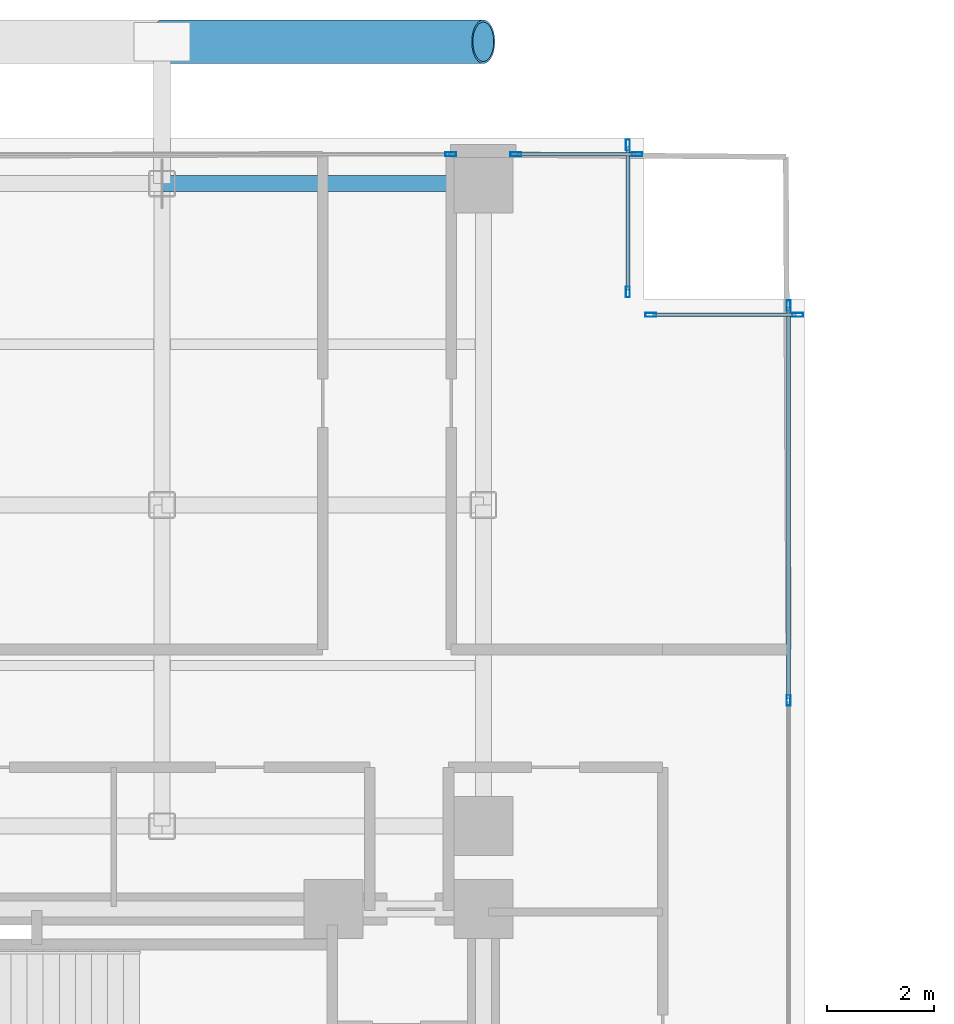
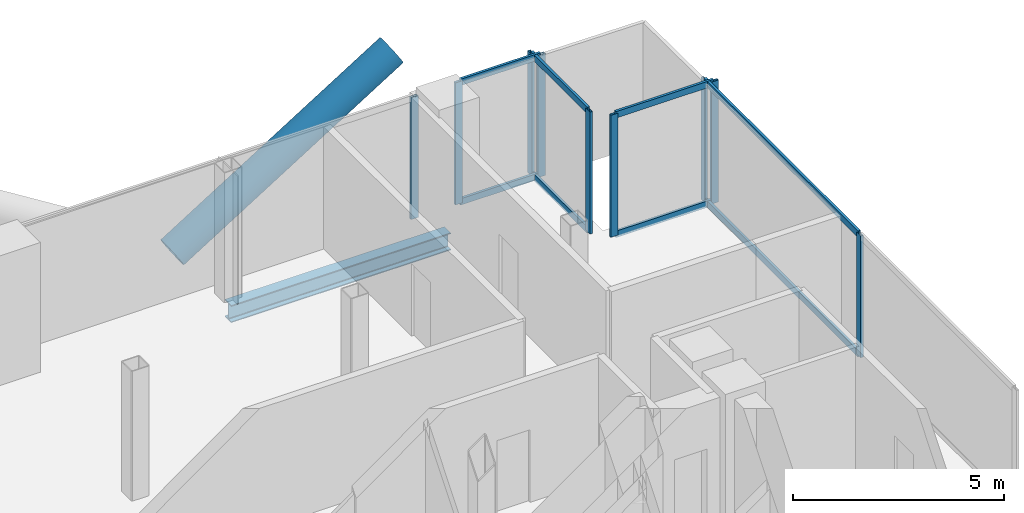
# One storey, part 16 of 24: 18 members, 1 beam, 5 elements without a shape of their own.
"""IFC4 building model written with IfcOpenShell, lengths in metres."""

from ifc_helpers import new_model, si_unit, direction, frame, origin, origin_2d, place, context, subcontext, project, spatial, hollow_rectangle, hollow_circle, i_section, extrude, material, layer, layer_set, material_profile, profile_set, type_object, element, aggregate, save


model = new_model("IFC4")

# Units and contexts
model_context = context("Model", 3, precision=1e-05, world=origin(), true_north=direction((0.0, 1.0)))
body_context = subcontext(model_context, "Body", "Model", "MODEL_VIEW")
ifc_project = project(units=[si_unit("LENGTHUNIT", "METRE"), si_unit("AREAUNIT", "SQUARE_METRE"), si_unit("VOLUMEUNIT", "CUBIC_METRE"), si_unit("PLANEANGLEUNIT", "RADIAN"), si_unit("MASSUNIT", "GRAM", prefix="KILO"), si_unit("THERMODYNAMICTEMPERATUREUNIT", "KELVIN"), si_unit("POWERUNIT", "WATT")], contexts=[model_context])

# Site, building, storey
site_placement = place(None, origin())
site = spatial("IfcSite", under=ifc_project, at=site_placement, CompositionType="ELEMENT")
building_placement = place(site_placement, origin())
building = spatial("IfcBuilding", under=site, at=building_placement, Name="Svarakhadi Broadcast Tower", CompositionType="ELEMENT")
storey_placement = place(building_placement, frame((0.0, 0.0, 145.64990234375)))
storey = spatial("IfcBuildingStorey", under=building, at=storey_placement, Name="L35", CompositionType="ELEMENT", Elevation=145.64990234375)

# Curtain wall, member
ifc_material_1 = material(Name="Anodised Bronze Aluminium AA 6063-T6", Category="aluminium")
ifc_layer = layer(ifc_material_1, 0.199951171875)
ifc_layer_set = layer_set([ifc_layer], Name="Anodised Bronze Aluminium AA 6063-T6")
curtain_wall_type = type_object("IfcCurtainWallType", Name="CW_Sys_03", PredefinedType="NOTDEFINED", material=ifc_layer_set)
curtain_wall_1_placement = place(storey_placement, origin())
curtain_wall_1 = element("IfcCurtainWall", 1, at=curtain_wall_1_placement, inside=storey, type_object=curtain_wall_type, Name="L35 Unitised Facade Curtain Wall 06 Bay 2", PredefinedType="NOTDEFINED")
ifc_material_profile_1 = material_profile(ifc_material_1, hollow_rectangle(XDim=0.074951171875, YDim=0.199951171875, WallThickness=0.005615234375, at=origin_2d()), Name="ALU MULLION 200x75x6")
ifc_profile_set_1 = profile_set([ifc_material_profile_1], Name="Anodised Bronze Aluminium AA 6063-T6")
member_type_1 = type_object("IfcMemberType", Name="CW_Sys_03_Mul", PredefinedType="MULLION", material=ifc_profile_set_1)
member_1_placement = place(storey_placement, frame((17.392578125, 41.699951171875, 0.0), z_axis=(0.0, 0.0, 1.0), x_axis=(0.0, 1.0, 0.0)))
member_1 = element("IfcMember", 2, at=member_1_placement, type_object=member_type_1, Name="CW-03 mullion 2", PredefinedType="MULLION", context=body_context, shape_type="SweptSolid", body=[
    extrude(hollow_rectangle(XDim=0.074951171875, YDim=0.199951171875, WallThickness=0.005615234375, at=origin_2d()), origin(), (0.0, 0.0, 1.0), 3.525146484375),
])
aggregate(curtain_wall_1, [member_1])

# Curtain wall, members
curtain_wall_2_placement = place(storey_placement, origin())
curtain_wall_2 = element("IfcCurtainWall", 3, at=curtain_wall_2_placement, inside=storey, type_object=curtain_wall_type, Name="L35 Unitised Facade Curtain Wall 06 Bay 3", PredefinedType="NOTDEFINED")
member_2_placement = place(storey_placement, frame((18.607421875, 41.699951171875, 0.0), z_axis=(0.0, 0.0, 1.0), x_axis=(0.0, 1.0, 0.0)))
member_2 = element("IfcMember", 4, at=member_2_placement, type_object=member_type_1, Name="CW-03 mullion 1", PredefinedType="MULLION", context=body_context, shape_type="SweptSolid", body=[
    extrude(hollow_rectangle(XDim=0.074951171875, YDim=0.199951171875, WallThickness=0.005615234375, at=origin_2d()), origin(), (0.0, 0.0, 1.0), 3.525146484375),
])
member_3_placement = place(storey_placement, frame((20.87255859375, 41.699951171875, 0.0), z_axis=(0.0, 0.0, 1.0), x_axis=(0.0, 1.0, 0.0)))
member_3 = element("IfcMember", 5, at=member_3_placement, type_object=member_type_1, Name="CW-03 mullion 2", PredefinedType="MULLION", context=body_context, shape_type="SweptSolid", body=[
    extrude(hollow_rectangle(XDim=0.074951171875, YDim=0.199951171875, WallThickness=0.005615234375, at=origin_2d()), origin(), (0.0, 0.0, 1.0), 3.525146484375),
])

curtain_wall_3_placement = place(storey_placement, origin())
curtain_wall_3 = element("IfcCurtainWall", 6, at=curtain_wall_3_placement, inside=storey, type_object=curtain_wall_type, Name="L35 Unitised Facade Curtain Wall 07", PredefinedType="NOTDEFINED")
member_4_placement = place(storey_placement, frame((20.699951171875, 41.87255859375, 0.0), z_axis=(0.0, 0.0, 1.0), x_axis=(1.0, 0.0, 0.0)))
member_4 = element("IfcMember", 7, at=member_4_placement, type_object=member_type_1, Name="CW-03 mullion 1", PredefinedType="MULLION", context=body_context, shape_type="SweptSolid", body=[
    extrude(hollow_rectangle(XDim=0.074951171875, YDim=0.199951171875, WallThickness=0.005615234375, at=origin_2d()), origin(), (0.0, 0.0, 1.0), 3.525146484375),
])
member_5_placement = place(storey_placement, frame((20.699951171875, 39.12744140625, 0.0), z_axis=(0.0, 0.0, 1.0), x_axis=(1.0, 0.0, 0.0)))
member_5 = element("IfcMember", 8, at=member_5_placement, type_object=member_type_1, Name="CW-03 mullion 2", PredefinedType="MULLION", context=body_context, shape_type="SweptSolid", body=[
    extrude(hollow_rectangle(XDim=0.074951171875, YDim=0.199951171875, WallThickness=0.005615234375, at=origin_2d()), origin(), (0.0, 0.0, 1.0), 3.525146484375),
])

curtain_wall_4_placement = place(storey_placement, origin())
curtain_wall_4 = element("IfcCurtainWall", 9, at=curtain_wall_4_placement, inside=storey, type_object=curtain_wall_type, Name="L35 Unitised Facade Curtain Wall 08", PredefinedType="NOTDEFINED")
member_6_placement = place(storey_placement, frame((21.12744140625, 38.699951171875, 0.0), z_axis=(0.0, 0.0, 1.0), x_axis=(0.0, 1.0, 0.0)))
member_6 = element("IfcMember", 10, at=member_6_placement, type_object=member_type_1, Name="CW-03 mullion 1", PredefinedType="MULLION", context=body_context, shape_type="SweptSolid", body=[
    extrude(hollow_rectangle(XDim=0.074951171875, YDim=0.199951171875, WallThickness=0.005615234375, at=origin_2d()), origin(), (0.0, 0.0, 1.0), 3.525146484375),
])
member_7_placement = place(storey_placement, frame((23.87255859375, 38.699951171875, 0.0), z_axis=(0.0, 0.0, 1.0), x_axis=(0.0, 1.0, 0.0)))
member_7 = element("IfcMember", 11, at=member_7_placement, type_object=member_type_1, Name="CW-03 mullion 2", PredefinedType="MULLION", context=body_context, shape_type="SweptSolid", body=[
    extrude(hollow_rectangle(XDim=0.074951171875, YDim=0.199951171875, WallThickness=0.005615234375, at=origin_2d()), origin(), (0.0, 0.0, 1.0), 3.525146484375),
])

curtain_wall_5_placement = place(storey_placement, origin())
curtain_wall_5 = element("IfcCurtainWall", 12, at=curtain_wall_5_placement, inside=storey, type_object=curtain_wall_type, Name="L35 Unitised Facade Curtain Wall 09", PredefinedType="NOTDEFINED")
member_8_placement = place(storey_placement, frame((23.699951171875, 38.87255859375, 0.0), z_axis=(0.0, 0.0, 1.0), x_axis=(1.0, 0.0, 0.0)))
member_8 = element("IfcMember", 13, at=member_8_placement, type_object=member_type_1, Name="CW-03 mullion 1", PredefinedType="MULLION", context=body_context, shape_type="SweptSolid", body=[
    extrude(hollow_rectangle(XDim=0.074951171875, YDim=0.199951171875, WallThickness=0.005615234375, at=origin_2d()), origin(), (0.0, 0.0, 1.0), 3.525146484375),
])
member_9_placement = place(storey_placement, frame((23.699951171875, 31.5, 0.0), z_axis=(0.0, 0.0, 1.0), x_axis=(1.0, 0.0, 0.0)))
member_9 = element("IfcMember", 14, at=member_9_placement, type_object=member_type_1, Name="CW-03 mullion 2", PredefinedType="MULLION", context=body_context, shape_type="SweptSolid", body=[
    extrude(hollow_rectangle(XDim=0.074951171875, YDim=0.199951171875, WallThickness=0.005615234375, at=origin_2d()), origin(), (0.0, 0.0, 1.0), 3.525146484375),
])

# Member
ifc_material_profile_2 = material_profile(ifc_material_1, hollow_rectangle(XDim=0.070068359375, YDim=0.18505859375, WallThickness=0.0048828125, at=origin_2d()), Name="ALU TRANSOM 185x70x5")
ifc_profile_set_2 = profile_set([ifc_material_profile_2], Name="Anodised Bronze Aluminium AA 6063-T6")
member_type_2 = type_object("IfcMemberType", Name="CW_Sys_03_Trn", PredefinedType="USERDEFINED", material=ifc_profile_set_2)
member_10_placement = place(storey_placement, frame((18.64501953125, 41.699951171875, 0.03515625), z_axis=(1.0, 0.0, 0.0), x_axis=(0.0, 1.0, 0.0)))
member_10 = element("IfcMember", 15, at=member_10_placement, type_object=member_type_2, Name="CW-03 transom 1.1", ObjectType="TRANSOM", PredefinedType="USERDEFINED", context=body_context, shape_type="SweptSolid", body=[
    extrude(hollow_rectangle(XDim=0.070068359375, YDim=0.18505859375, WallThickness=0.0048828125, at=origin_2d()), origin(), (0.0, 0.0, 1.0), 2.18994140625),
])

member_11_placement = place(storey_placement, frame((18.64501953125, 41.699951171875, 3.489990234375), z_axis=(1.0, 0.0, 0.0), x_axis=(0.0, 1.0, 0.0)))
member_11 = element("IfcMember", 16, at=member_11_placement, type_object=member_type_2, Name="CW-03 transom 1.2", ObjectType="TRANSOM", PredefinedType="USERDEFINED", context=body_context, shape_type="SweptSolid", body=[
    extrude(hollow_rectangle(XDim=0.070068359375, YDim=0.18505859375, WallThickness=0.0048828125, at=origin_2d()), origin(), (0.0, 0.0, 1.0), 2.18994140625),
])

aggregate(curtain_wall_2, [member_2, member_3, member_10, member_11])

member_12_placement = place(storey_placement, frame((20.699951171875, 41.8349609375, 0.03515625), z_axis=(0.0, -1.0, 0.0), x_axis=(1.0, 0.0, 0.0)))
member_12 = element("IfcMember", 17, at=member_12_placement, type_object=member_type_2, Name="CW-03 transom 1.1", ObjectType="TRANSOM", PredefinedType="USERDEFINED", context=body_context, shape_type="SweptSolid", body=[
    extrude(hollow_rectangle(XDim=0.070068359375, YDim=0.18505859375, WallThickness=0.0048828125, at=origin_2d()), origin(), (0.0, 0.0, 1.0), 2.669921875),
])

member_13_placement = place(storey_placement, frame((20.699951171875, 41.8349609375, 3.489990234375), z_axis=(0.0, -1.0, 0.0), x_axis=(1.0, 0.0, 0.0)))
member_13 = element("IfcMember", 18, at=member_13_placement, type_object=member_type_2, Name="CW-03 transom 1.2", ObjectType="TRANSOM", PredefinedType="USERDEFINED", context=body_context, shape_type="SweptSolid", body=[
    extrude(hollow_rectangle(XDim=0.070068359375, YDim=0.18505859375, WallThickness=0.0048828125, at=origin_2d()), origin(), (0.0, 0.0, 1.0), 2.669921875),
])

aggregate(curtain_wall_3, [member_4, member_5, member_12, member_13])

member_14_placement = place(storey_placement, frame((21.1650390625, 38.699951171875, 0.03515625), z_axis=(1.0, 0.0, 0.0), x_axis=(0.0, 1.0, 0.0)))
member_14 = element("IfcMember", 19, at=member_14_placement, type_object=member_type_2, Name="CW-03 transom 1.1", ObjectType="TRANSOM", PredefinedType="USERDEFINED", context=body_context, shape_type="SweptSolid", body=[
    extrude(hollow_rectangle(XDim=0.070068359375, YDim=0.18505859375, WallThickness=0.0048828125, at=origin_2d()), origin(), (0.0, 0.0, 1.0), 2.669921875),
])

member_15_placement = place(storey_placement, frame((21.1650390625, 38.699951171875, 3.489990234375), z_axis=(1.0, 0.0, 0.0), x_axis=(0.0, 1.0, 0.0)))
member_15 = element("IfcMember", 20, at=member_15_placement, type_object=member_type_2, Name="CW-03 transom 1.2", ObjectType="TRANSOM", PredefinedType="USERDEFINED", context=body_context, shape_type="SweptSolid", body=[
    extrude(hollow_rectangle(XDim=0.070068359375, YDim=0.18505859375, WallThickness=0.0048828125, at=origin_2d()), origin(), (0.0, 0.0, 1.0), 2.669921875),
])

aggregate(curtain_wall_4, [member_6, member_7, member_14, member_15])

member_16_placement = place(storey_placement, frame((23.699951171875, 38.8349609375, 0.03515625), z_axis=(0.0, -1.0, 0.0), x_axis=(1.0, 0.0, 0.0)))
member_16 = element("IfcMember", 21, at=member_16_placement, type_object=member_type_2, Name="CW-03 transom 1.1", ObjectType="TRANSOM", PredefinedType="USERDEFINED", context=body_context, shape_type="SweptSolid", body=[
    extrude(hollow_rectangle(XDim=0.070068359375, YDim=0.18505859375, WallThickness=0.0048828125, at=origin_2d()), origin(), (0.0, 0.0, 1.0), 7.29736328125),
])

member_17_placement = place(storey_placement, frame((23.699951171875, 38.8349609375, 3.489990234375), z_axis=(0.0, -1.0, 0.0), x_axis=(1.0, 0.0, 0.0)))
member_17 = element("IfcMember", 22, at=member_17_placement, type_object=member_type_2, Name="CW-03 transom 1.2", ObjectType="TRANSOM", PredefinedType="USERDEFINED", context=body_context, shape_type="SweptSolid", body=[
    extrude(hollow_rectangle(XDim=0.070068359375, YDim=0.18505859375, WallThickness=0.0048828125, at=origin_2d()), origin(), (0.0, 0.0, 1.0), 7.29736328125),
])

aggregate(curtain_wall_5, [member_8, member_9, member_16, member_17])

ifc_material_2 = material(Name="Steel S460ML (IS 2062 E450BR)", Category="steel")
ifc_material_profile_3 = material_profile(ifc_material_2, hollow_circle(Radius=0.406494140625, WallThickness=0.0400390625, at=origin_2d()), Name="CHS 813x40")
ifc_profile_set_3 = profile_set([ifc_material_profile_3], Name="Steel S460ML (IS 2062 E450BR)")
member_type_3 = type_object("IfcMemberType", Name="Exo_Brace_CHS813", PredefinedType="BRACE", material=ifc_profile_set_3)
member_18_placement = place(storey_placement, frame((12.0, 43.800048828125, -0.386962890625), z_axis=(0.847998304005, 0.0, 0.529998940003), x_axis=(0.0, 1.0, 0.0)))
element("IfcMember", 23, at=member_18_placement, inside=storey, type_object=member_type_3, Name="L35 Exposed Bronze Exoskeleton Diagonal N09", PredefinedType="BRACE", context=body_context, shape_type="SweptSolid", body=[
    extrude(hollow_circle(Radius=0.406494140625, WallThickness=0.0400390625, at=origin_2d()), origin(), (0.0, 0.0, 1.0), 7.075439453125),
])

# Beam
ifc_material_3 = material(Name="Steel S355J2 (IS 2062 E350C)", Category="steel")
ifc_material_profile_4 = material_profile(ifc_material_3, i_section(OverallWidth=0.300048828125, OverallDepth=0.5, WebThickness=0.014404296875, FlangeThickness=0.028076171875, FilletRadius=0.027099609375, at=origin_2d()), Name="WPB 500x300x187")
ifc_profile_set_4 = profile_set([ifc_material_profile_4], Name="Steel S355J2 (IS 2062 E350C)")
beam_type = type_object("IfcBeamType", Name="Girder_WPB500", PredefinedType="USERDEFINED", material=ifc_profile_set_4)
beam_placement = place(storey_placement, frame((12.0, 41.14990234375, -0.474853515625), z_axis=(1.0, 0.0, 0.0), x_axis=(0.0, 1.0, 0.0)))
element("IfcBeam", 24, at=beam_placement, inside=storey, type_object=beam_type, Name="L35 Primary E-W Girder G039", ObjectType="GIRDER", PredefinedType="USERDEFINED", context=body_context, shape_type="SweptSolid", body=[
    extrude(i_section(OverallWidth=0.300048828125, OverallDepth=0.5, WebThickness=0.014404296875, FlangeThickness=0.028076171875, FilletRadius=0.027099609375, at=origin_2d()), origin(), (0.0, 0.0, 1.0), 6.0),
])

save(model, "model.ifc")
